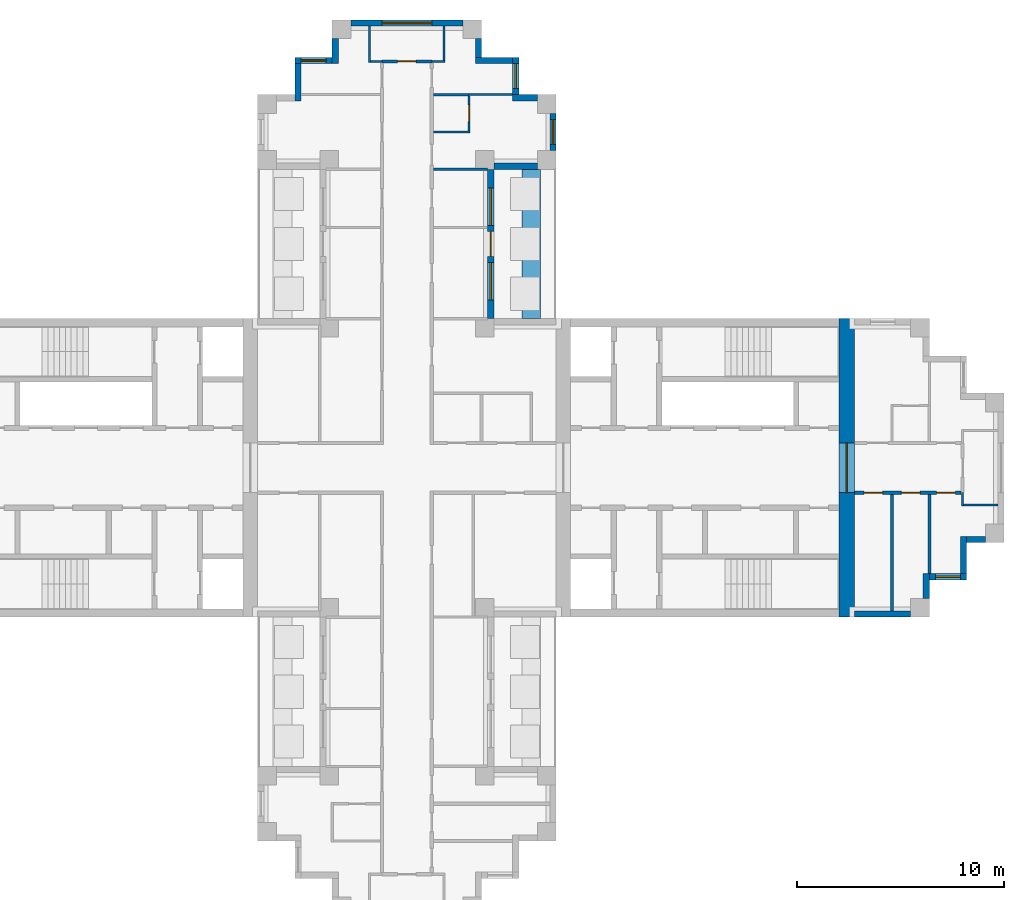
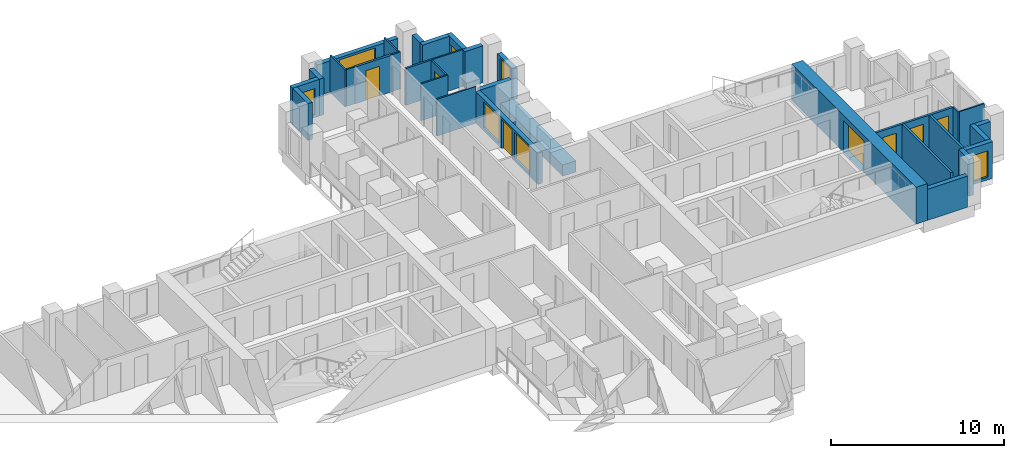
# One storey, part 7 of 10: 33 walls, 7 doors, 7 windows, 14 openings.
"""IFC4 building model written with IfcOpenShell, lengths in metres."""

from ifc_helpers import new_model, si_unit, direction, frame, frame_2d, origin, place, context, subcontext, project, spatial, rectangle, extrude, material, layer, layer_set, type_object, element, fill, save


model = new_model("IFC4")

# Units and contexts
model_context = context("Model", 3, precision=1e-05, world=origin(), true_north=direction((0.0, 1.0)))
body_context = subcontext(model_context, "Body", "Model", "MODEL_VIEW")
ifc_project = project(units=[si_unit("LENGTHUNIT", "METRE"), si_unit("AREAUNIT", "SQUARE_METRE"), si_unit("VOLUMEUNIT", "CUBIC_METRE"), si_unit("PLANEANGLEUNIT", "RADIAN"), si_unit("MASSUNIT", "GRAM", prefix="KILO")], contexts=[model_context])

# Site, building, storey
site_placement = place(None, origin())
site = spatial("IfcSite", under=ifc_project, at=site_placement, CompositionType="ELEMENT")
building_placement = place(site_placement, origin())
building = spatial("IfcBuilding", under=site, at=building_placement, Name="Fustian Cross Tower", CompositionType="ELEMENT")
storey_placement = place(building_placement, frame((0.0, 0.0, 185.699951171875)))
storey = spatial("IfcBuildingStorey", under=building, at=storey_placement, Name="L58", CompositionType="ELEMENT", Elevation=185.699951171875)

# Wall, opening, door
ifc_material_1 = material(Name="Plasterboard on steel stud", Category="steel")
ifc_layer_1 = layer(ifc_material_1, 0.14990234375)
ifc_layer_set_1 = layer_set([ifc_layer_1], Name="Plasterboard on steel stud")
wall_type_1 = type_object("IfcWallType", Name="COMPARTMENT WALL 150 EI 60", PredefinedType="PARTITIONING", material=ifc_layer_set_1)
wall_1_placement = place(storey_placement, frame((-1.199951171875, 19.60009765625, 0.0), z_axis=(0.0, 0.0, 1.0), x_axis=(1.0, 0.0, 0.0)))
wall_1 = element("IfcWall", 1, at=wall_1_placement, inside=storey, type_object=wall_type_1, Name="Partition 34", PredefinedType="PARTITIONING", context=body_context, shape_type="SweptSolid", body=[
    extrude(rectangle(XDim=2.39990234375, YDim=0.14990234375, at=frame_2d((1.199951171875, 0.0))), origin(), (0.0, 0.0, 1.0), 2.60009765625),
])
opening_1_placement = place(wall_1_placement, frame((0.75, 0.0, 0.0)))
opening_1 = element("IfcOpeningElement", 2, at=opening_1_placement, cuts=wall_1, Name="Opening D26017", PredefinedType="OPENING", context=body_context, shape_type="SweptSolid", body=[
    extrude(rectangle(XDim=0.89990234375, YDim=2.10009765625, at=frame_2d((0.449951171875, 1.050048828125))), frame((0.0, 0.0849609375, 0.0), z_axis=(0.0, -1.0, 0.0), x_axis=(1.0, 0.0, 0.0)), (0.0, 0.0, 1.0), 0.169921875),
])
ifc_material_2 = material(Name="Timber fire door set", Category="wood")
door_type_1 = type_object("IfcDoorType", Name="FIRE SWING DOOR 900 FD30S", OperationType="SINGLE_SWING_LEFT", PredefinedType="DOOR", material=ifc_material_2)
door_1_placement = place(opening_1_placement, origin())
door_1 = element("IfcDoor", 3, at=door_1_placement, inside=storey, type_object=door_type_1, Name="Door D26017", OperationType="SINGLE_SWING_LEFT", OverallHeight=2.10009765625, OverallWidth=0.89990234375, PredefinedType="DOOR", context=body_context, shape_type="SweptSolid", body=[
    extrude(rectangle(XDim=0.89990234375, YDim=2.10009765625, at=frame_2d((0.449951171875, 1.050048828125))), frame((0.0, 0.02490234375, 0.0), z_axis=(0.0, -1.0, 0.0), x_axis=(1.0, 0.0, 0.0)), (0.0, 0.0, 1.0), 0.050048828125),
])
fill(opening_1, door_1)

# Wall, openings, doors
wall_2_placement = place(storey_placement, frame((21.60009765625, -1.199951171875, 0.0), z_axis=(0.0, 0.0, 1.0), x_axis=(1.0, 0.0, 0.0)))
wall_2 = element("IfcWall", 4, at=wall_2_placement, inside=storey, type_object=wall_type_1, Name="Partition 58", PredefinedType="PARTITIONING", context=body_context, shape_type="SweptSolid", body=[
    extrude(rectangle(XDim=5.125, YDim=0.14990234375, at=frame_2d((2.5625, 0.0))), origin(), (0.0, 0.0, 1.0), 2.60009765625),
])
opening_2_placement = place(wall_2_placement, frame((0.449951171875, 0.0, 0.0)))
opening_2 = element("IfcOpeningElement", 5, at=opening_2_placement, cuts=wall_2, Name="Opening D26014", PredefinedType="OPENING", context=body_context, shape_type="SweptSolid", body=[
    extrude(rectangle(XDim=0.89990234375, YDim=2.10009765625, at=frame_2d((0.449951171875, 1.050048828125))), frame((0.0, 0.0849609375, 0.0), z_axis=(0.0, -1.0, 0.0), x_axis=(1.0, 0.0, 0.0)), (0.0, 0.0, 1.0), 0.169921875),
])
opening_3_placement = place(wall_2_placement, frame((2.25, 0.0, 0.0)))
opening_3 = element("IfcOpeningElement", 6, at=opening_3_placement, cuts=wall_2, Name="Opening D26015", PredefinedType="OPENING", context=body_context, shape_type="SweptSolid", body=[
    extrude(rectangle(XDim=0.89990234375, YDim=2.10009765625, at=frame_2d((0.449951171875, 1.050048828125))), frame((0.0, 0.0849609375, 0.0), z_axis=(0.0, -1.0, 0.0), x_axis=(1.0, 0.0, 0.0)), (0.0, 0.0, 1.0), 0.169921875),
])
opening_4_placement = place(wall_2_placement, frame((3.949951171875, 0.0, 0.0)))
opening_4 = element("IfcOpeningElement", 7, at=opening_4_placement, cuts=wall_2, Name="Opening D26016", PredefinedType="OPENING", context=body_context, shape_type="SweptSolid", body=[
    extrude(rectangle(XDim=0.89990234375, YDim=2.10009765625, at=frame_2d((0.449951171875, 1.050048828125))), frame((0.0, 0.0849609375, 0.0), z_axis=(0.0, -1.0, 0.0), x_axis=(1.0, 0.0, 0.0)), (0.0, 0.0, 1.0), 0.169921875),
])
door_2_placement = place(opening_2_placement, frame((0.89990234375, 0.0, 0.0), z_axis=(0.0, 0.0, 1.0), x_axis=(-1.0, 0.0, 0.0)))
door_2 = element("IfcDoor", 8, at=door_2_placement, inside=storey, type_object=door_type_1, Name="Door D26014", OperationType="SINGLE_SWING_LEFT", OverallHeight=2.10009765625, OverallWidth=0.89990234375, PredefinedType="DOOR", context=body_context, shape_type="SweptSolid", body=[
    extrude(rectangle(XDim=0.89990234375, YDim=2.10009765625, at=frame_2d((0.449951171875, 1.050048828125))), frame((0.0, 0.02490234375, 0.0), z_axis=(0.0, -1.0, 0.0), x_axis=(1.0, 0.0, 0.0)), (0.0, 0.0, 1.0), 0.050048828125),
])
fill(opening_2, door_2)
door_3_placement = place(opening_3_placement, frame((0.89990234375, 0.0, 0.0), z_axis=(0.0, 0.0, 1.0), x_axis=(-1.0, 0.0, 0.0)))
door_3 = element("IfcDoor", 9, at=door_3_placement, inside=storey, type_object=door_type_1, Name="Door D26015", OperationType="SINGLE_SWING_LEFT", OverallHeight=2.10009765625, OverallWidth=0.89990234375, PredefinedType="DOOR", context=body_context, shape_type="SweptSolid", body=[
    extrude(rectangle(XDim=0.89990234375, YDim=2.10009765625, at=frame_2d((0.449951171875, 1.050048828125))), frame((0.0, 0.02490234375, 0.0), z_axis=(0.0, -1.0, 0.0), x_axis=(1.0, 0.0, 0.0)), (0.0, 0.0, 1.0), 0.050048828125),
])
fill(opening_3, door_3)
door_4_placement = place(opening_4_placement, frame((0.89990234375, 0.0, 0.0), z_axis=(0.0, 0.0, 1.0), x_axis=(-1.0, 0.0, 0.0)))
door_4 = element("IfcDoor", 10, at=door_4_placement, inside=storey, type_object=door_type_1, Name="Door D26016", OperationType="SINGLE_SWING_RIGHT", OverallHeight=2.10009765625, OverallWidth=0.89990234375, PredefinedType="DOOR", context=body_context, shape_type="SweptSolid", body=[
    extrude(rectangle(XDim=0.89990234375, YDim=2.10009765625, at=frame_2d((0.449951171875, 1.050048828125))), frame((0.0, 0.02490234375, 0.0), z_axis=(0.0, -1.0, 0.0), x_axis=(1.0, 0.0, 0.0)), (0.0, 0.0, 1.0), 0.050048828125),
])
fill(opening_4, door_4)

# Walls
wall_3_placement = place(storey_placement, frame((23.39990234375, -6.89990234375, 0.0), z_axis=(0.0, 0.0, 1.0), x_axis=(0.0, 1.0, 0.0)))
element("IfcWall", 11, at=wall_3_placement, inside=storey, type_object=wall_type_1, Name="Partition 60", PredefinedType="PARTITIONING", context=body_context, shape_type="SweptSolid", body=[
    extrude(rectangle(XDim=5.625, YDim=0.14990234375, at=frame_2d((2.8125, 0.0))), origin(), (0.0, 0.0, 1.0), 2.60009765625),
])
wall_4_placement = place(storey_placement, frame((25.199951171875, -5.10009765625, 0.0), z_axis=(0.0, 0.0, 1.0), x_axis=(0.0, 1.0, 0.0)))
element("IfcWall", 12, at=wall_4_placement, inside=storey, type_object=wall_type_1, Name="Partition 63", PredefinedType="PARTITIONING", context=body_context, shape_type="SweptSolid", body=[
    extrude(rectangle(XDim=3.8251953125, YDim=0.14990234375, at=frame_2d((1.91259765625, 0.0))), origin(), (0.0, 0.0, 1.0), 2.60009765625),
])

# Wall, opening, door
ifc_material_3 = material(Name="Concrete C50/60", Category="concrete")
ifc_layer_2 = layer(ifc_material_3, 0.75)
ifc_layer_set_2 = layer_set([ifc_layer_2], Name="Concrete C50/60")
wall_type_2 = type_object("IfcWallType", Name="CORE END WALL 750 C50/60", PredefinedType="SHEAR", material=ifc_layer_set_2)
wall_5_placement = place(storey_placement, frame((21.22509765625, -7.199951171875, 0.0), z_axis=(0.0, 0.0, 1.0), x_axis=(0.0, 1.0, 0.0)))
wall_5 = element("IfcWall", 13, at=wall_5_placement, inside=storey, type_object=wall_type_2, Name="Core end wall", PredefinedType="SHEAR", context=body_context, shape_type="SweptSolid", body=[
    extrude(rectangle(XDim=14.39990234375, YDim=0.75, at=frame_2d((7.199951171875, 0.0))), origin(), (0.0, 0.0, 1.0), 2.60009765625),
])
opening_5_placement = place(wall_5_placement, frame((6.0, 0.0, 0.0)))
opening_5 = element("IfcOpeningElement", 14, at=opening_5_placement, cuts=wall_5, Name="Opening CD-23-13", PredefinedType="OPENING", context=body_context, shape_type="SweptSolid", body=[
    extrude(rectangle(XDim=2.39990234375, YDim=2.199951171875, at=frame_2d((1.199951171875, 1.10009765625))), frame((0.0, 0.385009765625, 0.0), z_axis=(0.0, -1.0, 0.0), x_axis=(1.0, 0.0, 0.0)), (0.0, 0.0, 1.0), 0.77001953125),
])
ifc_material_4 = material(Name="Steel", Category="steel")
door_type_2 = type_object("IfcDoorType", Name="FIRE DOOR FD30S DOUBLE 2400X2200", OperationType="DOUBLE_DOOR_DOUBLE_SWING", PredefinedType="DOOR", material=ifc_material_4)
door_5_placement = place(opening_5_placement, origin())
door_5 = element("IfcDoor", 15, at=door_5_placement, inside=storey, type_object=door_type_2, Name="Core door CD-23-13", OperationType="DOUBLE_DOOR_DOUBLE_SWING", OverallHeight=2.199951171875, OverallWidth=2.39990234375, PredefinedType="DOOR", context=body_context, shape_type="SweptSolid", body=[
    extrude(rectangle(XDim=2.39990234375, YDim=2.199951171875, at=frame_2d((1.199951171875, 1.10009765625))), frame((0.0, 0.02490234375, 0.0), z_axis=(0.0, -1.0, 0.0), x_axis=(1.0, 0.0, 0.0)), (0.0, 0.0, 1.0), 0.050048828125),
])
fill(opening_5, door_5)

# Walls
ifc_material_5 = material(Name="Plasterboard on steel stud", Category="steel")
ifc_layer_3 = layer(ifc_material_5, 0.10009765625)
ifc_layer_set_3 = layer_set([ifc_layer_3], Name="Plasterboard on steel stud")
wall_type_3 = type_object("IfcWallType", Name="PARTITION 100 STUD", PredefinedType="PARTITIONING", material=ifc_layer_set_3)
wall_6_placement = place(storey_placement, frame((-1.800048828125, 19.550048828125, 0.0), z_axis=(0.0, 0.0, 1.0), x_axis=(0.0, 1.0, 0.0)))
element("IfcWall", 16, at=wall_6_placement, inside=storey, type_object=wall_type_3, Name="Partition 29", PredefinedType="PARTITIONING", context=body_context, shape_type="SweptSolid", body=[
    extrude(rectangle(XDim=1.75, YDim=0.10009765625, at=frame_2d((0.875, 0.0))), origin(), (0.0, 0.0, 1.0), 2.60009765625),
])
wall_7_placement = place(storey_placement, frame((-1.75, 19.60009765625, 0.0), z_axis=(0.0, 0.0, 1.0), x_axis=(1.0, 0.0, 0.0)))
element("IfcWall", 17, at=wall_7_placement, inside=storey, type_object=wall_type_3, Name="Partition 30", PredefinedType="PARTITIONING", context=body_context, shape_type="SweptSolid", body=[
    extrude(rectangle(XDim=0.550048828125, YDim=0.10009765625, at=frame_2d((0.27490234375, 0.0))), origin(), (0.0, 0.0, 1.0), 2.60009765625),
])
wall_8_placement = place(storey_placement, frame((1.27490234375, 14.39990234375, 0.0), z_axis=(0.0, 0.0, 1.0), x_axis=(1.0, 0.0, 0.0)))
element("IfcWall", 18, at=wall_8_placement, inside=storey, type_object=wall_type_3, Name="Partition 47", PredefinedType="PARTITIONING", context=body_context, shape_type="SweptSolid", body=[
    extrude(rectangle(XDim=2.625, YDim=0.10009765625, at=frame_2d((1.3125, 0.0))), origin(), (0.0, 0.0, 1.0), 2.60009765625),
])
wall_9_placement = place(storey_placement, frame((1.27490234375, 16.199951171875, 0.0), z_axis=(0.0, 0.0, 1.0), x_axis=(1.0, 0.0, 0.0)))
element("IfcWall", 19, at=wall_9_placement, inside=storey, type_object=wall_type_3, Name="Partition 48", PredefinedType="PARTITIONING", context=body_context, shape_type="SweptSolid", body=[
    extrude(rectangle(XDim=1.775146484375, YDim=0.10009765625, at=frame_2d((0.8876953125, 0.0))), origin(), (0.0, 0.0, 1.0), 2.60009765625),
])
wall_10_placement = place(storey_placement, frame((1.199951171875, 19.60009765625, 0.0), z_axis=(0.0, 0.0, 1.0), x_axis=(1.0, 0.0, 0.0)))
element("IfcWall", 20, at=wall_10_placement, inside=storey, type_object=wall_type_3, Name="Partition 50", PredefinedType="PARTITIONING", context=body_context, shape_type="SweptSolid", body=[
    extrude(rectangle(XDim=0.650146484375, YDim=0.10009765625, at=frame_2d((0.3251953125, 0.0))), origin(), (0.0, 0.0, 1.0), 2.60009765625),
])
wall_11_placement = place(storey_placement, frame((1.800048828125, 19.64990234375, 0.0), z_axis=(0.0, 0.0, 1.0), x_axis=(0.0, 1.0, 0.0)))
element("IfcWall", 21, at=wall_11_placement, inside=storey, type_object=wall_type_3, Name="Partition 52", PredefinedType="PARTITIONING", context=body_context, shape_type="SweptSolid", body=[
    extrude(rectangle(XDim=1.650146484375, YDim=0.10009765625, at=frame_2d((0.8251953125, 0.0))), origin(), (0.0, 0.0, 1.0), 2.60009765625),
])

# Wall, opening, door
wall_12_placement = place(storey_placement, frame((3.0, 16.25, 0.0), z_axis=(0.0, 0.0, 1.0), x_axis=(0.0, 1.0, 0.0)))
wall_12 = element("IfcWall", 22, at=wall_12_placement, inside=storey, type_object=wall_type_3, Name="Partition 53", PredefinedType="PARTITIONING", context=body_context, shape_type="SweptSolid", body=[
    extrude(rectangle(XDim=1.6875, YDim=0.10009765625, at=frame_2d((0.84375, 0.0))), origin(), (0.0, 0.0, 1.0), 2.60009765625),
])
opening_6_placement = place(wall_12_placement, frame((0.449951171875, 0.0, 0.0)))
opening_6 = element("IfcOpeningElement", 23, at=opening_6_placement, cuts=wall_12, Name="Opening D26024", PredefinedType="OPENING", context=body_context, shape_type="SweptSolid", body=[
    extrude(rectangle(XDim=0.800048828125, YDim=2.10009765625, at=frame_2d((0.39990234375, 1.050048828125))), frame((0.0, 0.06005859375, 0.0), z_axis=(0.0, -1.0, 0.0), x_axis=(1.0, 0.0, 0.0)), (0.0, 0.0, 1.0), 0.1201171875),
])
ifc_material_6 = material(Name="Painted timber", Category="wood")
door_type_3 = type_object("IfcDoorType", Name="SWING DOOR 800", OperationType="SINGLE_SWING_LEFT", PredefinedType="DOOR", material=ifc_material_6)
door_6_placement = place(opening_6_placement, origin())
door_6 = element("IfcDoor", 24, at=door_6_placement, inside=storey, type_object=door_type_3, Name="Door D26024", OperationType="SINGLE_SWING_RIGHT", OverallHeight=2.10009765625, OverallWidth=0.800048828125, PredefinedType="DOOR", context=body_context, shape_type="SweptSolid", body=[
    extrude(rectangle(XDim=0.800048828125, YDim=2.10009765625, at=frame_2d((0.39990234375, 1.050048828125))), frame((0.0, 0.02490234375, 0.0), z_axis=(0.0, -1.0, 0.0), x_axis=(1.0, 0.0, 0.0)), (0.0, 0.0, 1.0), 0.050048828125),
])
fill(opening_6, door_6)

# Walls
wall_13_placement = place(storey_placement, frame((3.0, 18.0, 0.0), z_axis=(0.0, 0.0, 1.0), x_axis=(1.0, 0.0, 0.0)))
element("IfcWall", 25, at=wall_13_placement, inside=storey, type_object=wall_type_3, Name="Partition 54", PredefinedType="PARTITIONING", context=body_context, shape_type="SweptSolid", body=[
    extrude(rectangle(XDim=2.10009765625, YDim=0.10009765625, at=frame_2d((1.050048828125, 0.0))), origin(), (0.0, 0.0, 1.0), 2.60009765625),
])
wall_14_placement = place(storey_placement, frame((26.800048828125, -1.85009765625, 0.0), z_axis=(0.0, 0.0, 1.0), x_axis=(0.0, 1.0, 0.0)))
element("IfcWall", 26, at=wall_14_placement, inside=storey, type_object=wall_type_3, Name="Partition 66", PredefinedType="PARTITIONING", context=body_context, shape_type="SweptSolid", body=[
    extrude(rectangle(XDim=0.650146484375, YDim=0.10009765625, at=frame_2d((0.3251953125, 0.0))), origin(), (0.0, 0.0, 1.0), 2.60009765625),
])
wall_15_placement = place(storey_placement, frame((26.85009765625, -1.800048828125, 0.0), z_axis=(0.0, 0.0, 1.0), x_axis=(1.0, 0.0, 0.0)))
element("IfcWall", 27, at=wall_15_placement, inside=storey, type_object=wall_type_3, Name="Partition 67", PredefinedType="PARTITIONING", context=body_context, shape_type="SweptSolid", body=[
    extrude(rectangle(XDim=1.64990234375, YDim=0.10009765625, at=frame_2d((0.824951171875, 0.0))), origin(), (0.0, 0.0, 1.0), 2.60009765625),
])
ifc_material_7 = material(Name="Concrete C40/50", Category="concrete")
ifc_layer_4 = layer(ifc_material_7, 0.89990234375)
ifc_layer_set_4 = layer_set([ifc_layer_4], Name="Concrete C40/50")
wall_type_4 = type_object("IfcWallType", Name="PK1 PLANTER 900", PredefinedType="PARAPET", material=ifc_layer_set_4)
wall_16_placement = place(storey_placement, frame((6.0, 7.199951171875, 0.0), z_axis=(0.0, 0.0, 1.0), x_axis=(0.0, 1.0, 0.0)))
element("IfcWall", 28, at=wall_16_placement, inside=storey, type_object=wall_type_4, Name="PLANTER", PredefinedType="PARAPET", context=body_context, shape_type="SweptSolid", body=[
    extrude(rectangle(XDim=7.199951171875, YDim=0.89990234375, at=frame_2d((3.60009765625, 0.0))), origin(), (0.0, 0.0, 1.0), 0.800048828125),
])
ifc_material_8 = material(Name="Plasterboard on steel stud", Category="steel")
ifc_layer_5 = layer(ifc_material_8, 0.125)
ifc_layer_set_5 = layer_set([ifc_layer_5], Name="Plasterboard on steel stud")
wall_type_5 = type_object("IfcWallType", Name="WET WALL 125 STUD", PredefinedType="PARTITIONING", material=ifc_layer_set_5)
wall_17_placement = place(storey_placement, frame((1.27490234375, 18.0, 0.0), z_axis=(0.0, 0.0, 1.0), x_axis=(1.0, 0.0, 0.0)))
element("IfcWall", 29, at=wall_17_placement, inside=storey, type_object=wall_type_5, Name="Partition 49", PredefinedType="PARTITIONING", context=body_context, shape_type="SweptSolid", body=[
    extrude(rectangle(XDim=1.72509765625, YDim=0.125, at=frame_2d((0.862548828125, 0.0))), origin(), (0.0, 0.0, 1.0), 2.60009765625),
])
ifc_material_9 = material(Name="Dark aluminium cladding on insulated backing wall", Category="aluminium")
ifc_layer_6 = layer(ifc_material_9, 0.300048828125)
ifc_layer_set_6 = layer_set([ifc_layer_6], Name="Dark aluminium cladding on insulated backing wall")
wall_type_6 = type_object("IfcWallType", Name="XW1 EXTERNAL WALL 300", PredefinedType="SOLIDWALL", material=ifc_layer_set_6)
wall_18_placement = place(storey_placement, frame((21.60009765625, -7.050048828125, 0.0), z_axis=(0.0, 0.0, 1.0), x_axis=(1.0, 0.0, 0.0)))
element("IfcWall", 30, at=wall_18_placement, inside=storey, type_object=wall_type_6, Name="External wall", PredefinedType="SOLIDWALL", context=body_context, shape_type="SweptSolid", body=[
    extrude(rectangle(XDim=2.699951171875, YDim=0.300048828125, at=frame_2d((1.35009765625, 0.0))), origin(), (0.0, 0.0, 1.0), 2.199951171875),
])
wall_19_placement = place(storey_placement, frame((25.050048828125, -6.300048828125, 0.0), z_axis=(0.0, 0.0, 1.0), x_axis=(0.0, 1.0, 0.0)))
element("IfcWall", 31, at=wall_19_placement, inside=storey, type_object=wall_type_6, Name="External wall", PredefinedType="SOLIDWALL", context=body_context, shape_type="SweptSolid", body=[
    extrude(rectangle(XDim=1.199951171875, YDim=0.300048828125, at=frame_2d((0.60009765625, 0.0))), origin(), (0.0, 0.0, 1.0), 2.60009765625),
])

# Wall, opening, window
wall_20_placement = place(storey_placement, frame((25.199951171875, -5.25, 0.0), z_axis=(0.0, 0.0, 1.0), x_axis=(1.0, 0.0, 0.0)))
wall_20 = element("IfcWall", 32, at=wall_20_placement, inside=storey, type_object=wall_type_6, Name="External wall", PredefinedType="SOLIDWALL", context=body_context, shape_type="SweptSolid", body=[
    extrude(rectangle(XDim=1.800048828125, YDim=0.300048828125, at=frame_2d((0.89990234375, 0.0))), origin(), (0.0, 0.0, 1.0), 2.60009765625),
])
opening_7_placement = place(wall_20_placement, frame((0.300048828125, 0.0, 0.199951171875)))
opening_7 = element("IfcOpeningElement", 33, at=opening_7_placement, cuts=wall_20, Name="Opening WN3", PredefinedType="OPENING", context=body_context, shape_type="SweptSolid", body=[
    extrude(rectangle(XDim=1.199951171875, YDim=1.85009765625, at=frame_2d((0.60009765625, 0.925048828125))), frame((0.0, 0.159912109375, 0.0), z_axis=(0.0, -1.0, 0.0), x_axis=(1.0, 0.0, 0.0)), (0.0, 0.0, 1.0), 0.320068359375),
])
ifc_material_10 = material(Name="Dark anodised aluminium and double glazing", Category="aluminium")
window_type_1 = type_object("IfcWindowType", Name="WN3 WINDOW 1200X1850", PartitioningType="SINGLE_PANEL", PredefinedType="WINDOW", material=ifc_material_10)
window_1_placement = place(opening_7_placement, origin())
window_1 = element("IfcWindow", 34, at=window_1_placement, inside=storey, type_object=window_type_1, Name="Window", OverallHeight=1.85009765625, OverallWidth=1.199951171875, PartitioningType="SINGLE_PANEL", PredefinedType="WINDOW", context=body_context, shape_type="SweptSolid", body=[
    extrude(rectangle(XDim=1.199951171875, YDim=1.85009765625, at=frame_2d((0.60009765625, 0.925048828125))), frame((0.0, 0.030029296875, 0.0), z_axis=(0.0, -1.0, 0.0), x_axis=(1.0, 0.0, 0.0)), (0.0, 0.0, 1.0), 0.06005859375),
])
fill(opening_7, window_1)

# Walls
wall_21_placement = place(storey_placement, frame((26.85009765625, -5.10009765625, 0.0), z_axis=(0.0, 0.0, 1.0), x_axis=(0.0, 1.0, 0.0)))
element("IfcWall", 35, at=wall_21_placement, inside=storey, type_object=wall_type_6, Name="External wall", PredefinedType="SOLIDWALL", context=body_context, shape_type="SweptSolid", body=[
    extrude(rectangle(XDim=1.800048828125, YDim=0.300048828125, at=frame_2d((0.89990234375, 0.0))), origin(), (0.0, 0.0, 1.0), 2.60009765625),
])
wall_22_placement = place(storey_placement, frame((27.0, -3.449951171875, 0.0), z_axis=(0.0, 0.0, 1.0), x_axis=(1.0, 0.0, 0.0)))
element("IfcWall", 36, at=wall_22_placement, inside=storey, type_object=wall_type_6, Name="External wall", PredefinedType="SOLIDWALL", context=body_context, shape_type="SweptSolid", body=[
    extrude(rectangle(XDim=0.89990234375, YDim=0.300048828125, at=frame_2d((0.449951171875, 0.0))), origin(), (0.0, 0.0, 1.0), 2.60009765625),
])

# Wall, openings, door, windows
wall_23_placement = place(storey_placement, frame((4.050048828125, 7.199951171875, 0.0), z_axis=(0.0, 0.0, 1.0), x_axis=(0.0, 1.0, 0.0)))
wall_23 = element("IfcWall", 37, at=wall_23_placement, inside=storey, type_object=wall_type_6, Name="External wall", PredefinedType="SOLIDWALL", context=body_context, shape_type="SweptSolid", body=[
    extrude(rectangle(XDim=7.199951171875, YDim=0.300048828125, at=frame_2d((3.60009765625, 0.0))), origin(), (0.0, 0.0, 1.0), 2.199951171875),
])
opening_8_placement = place(wall_23_placement, frame((3.0, 0.0, 0.0)))
opening_8 = element("IfcOpeningElement", 38, at=opening_8_placement, cuts=wall_23, Name="Opening XD1", PredefinedType="OPENING", context=body_context, shape_type="SweptSolid", body=[
    extrude(rectangle(XDim=1.199951171875, YDim=2.050048828125, at=frame_2d((0.60009765625, 1.02490234375))), frame((0.0, 0.159912109375, 0.0), z_axis=(0.0, -1.0, 0.0), x_axis=(1.0, 0.0, 0.0)), (0.0, 0.0, 1.0), 0.320068359375),
])
opening_9_placement = place(wall_23_placement, frame((0.89990234375, 0.0, 0.199951171875)))
opening_9 = element("IfcOpeningElement", 39, at=opening_9_placement, cuts=wall_23, Name="Opening WN2", PredefinedType="OPENING", context=body_context, shape_type="SweptSolid", body=[
    extrude(rectangle(XDim=1.800048828125, YDim=1.85009765625, at=frame_2d((0.89990234375, 0.925048828125))), frame((0.0, 0.159912109375, 0.0), z_axis=(0.0, -1.0, 0.0), x_axis=(1.0, 0.0, 0.0)), (0.0, 0.0, 1.0), 0.320068359375),
])
opening_10_placement = place(wall_23_placement, frame((4.5, 0.0, 0.199951171875)))
opening_10 = element("IfcOpeningElement", 40, at=opening_10_placement, cuts=wall_23, Name="Opening WN2", PredefinedType="OPENING", context=body_context, shape_type="SweptSolid", body=[
    extrude(rectangle(XDim=1.800048828125, YDim=1.85009765625, at=frame_2d((0.89990234375, 0.925048828125))), frame((0.0, 0.159912109375, 0.0), z_axis=(0.0, -1.0, 0.0), x_axis=(1.0, 0.0, 0.0)), (0.0, 0.0, 1.0), 0.320068359375),
])
ifc_material_11 = material(Name="Dark anodised aluminium and double glazing", Category="aluminium")
door_type_4 = type_object("IfcDoorType", Name="ED1 BALCONY DOOR 1200X2050", OperationType="SINGLE_SWING_LEFT", PredefinedType="DOOR", material=ifc_material_11)
door_7_placement = place(opening_8_placement, origin())
door_7 = element("IfcDoor", 41, at=door_7_placement, inside=storey, type_object=door_type_4, Name="Balcony door", OperationType="SINGLE_SWING_LEFT", OverallHeight=2.050048828125, OverallWidth=1.199951171875, PredefinedType="DOOR", context=body_context, shape_type="SweptSolid", body=[
    extrude(rectangle(XDim=1.199951171875, YDim=2.050048828125, at=frame_2d((0.60009765625, 1.02490234375))), frame((0.0, 0.02490234375, 0.0), z_axis=(0.0, -1.0, 0.0), x_axis=(1.0, 0.0, 0.0)), (0.0, 0.0, 1.0), 0.050048828125),
])
fill(opening_8, door_7)
ifc_material_12 = material(Name="Dark anodised aluminium and double glazing", Category="aluminium")
window_type_2 = type_object("IfcWindowType", Name="WN2 WINDOW 1800X1850", PartitioningType="SINGLE_PANEL", PredefinedType="WINDOW", material=ifc_material_12)
window_2_placement = place(opening_9_placement, origin())
window_2 = element("IfcWindow", 42, at=window_2_placement, inside=storey, type_object=window_type_2, Name="Window", OverallHeight=1.85009765625, OverallWidth=1.800048828125, PartitioningType="SINGLE_PANEL", PredefinedType="WINDOW", context=body_context, shape_type="SweptSolid", body=[
    extrude(rectangle(XDim=1.800048828125, YDim=1.85009765625, at=frame_2d((0.89990234375, 0.925048828125))), frame((0.0, 0.030029296875, 0.0), z_axis=(0.0, -1.0, 0.0), x_axis=(1.0, 0.0, 0.0)), (0.0, 0.0, 1.0), 0.06005859375),
])
fill(opening_9, window_2)
window_3_placement = place(opening_10_placement, origin())
window_3 = element("IfcWindow", 43, at=window_3_placement, inside=storey, type_object=window_type_2, Name="Window", OverallHeight=1.85009765625, OverallWidth=1.800048828125, PartitioningType="SINGLE_PANEL", PredefinedType="WINDOW", context=body_context, shape_type="SweptSolid", body=[
    extrude(rectangle(XDim=1.800048828125, YDim=1.85009765625, at=frame_2d((0.89990234375, 0.925048828125))), frame((0.0, 0.030029296875, 0.0), z_axis=(0.0, -1.0, 0.0), x_axis=(1.0, 0.0, 0.0)), (0.0, 0.0, 1.0), 0.06005859375),
])
fill(opening_10, window_3)

# Wall
wall_24_placement = place(storey_placement, frame((4.199951171875, 14.550048828125, 0.0), z_axis=(0.0, 0.0, 1.0), x_axis=(1.0, 0.0, 0.0)))
element("IfcWall", 44, at=wall_24_placement, inside=storey, type_object=wall_type_6, Name="External wall", PredefinedType="SOLIDWALL", context=body_context, shape_type="SweptSolid", body=[
    extrude(rectangle(XDim=2.10009765625, YDim=0.300048828125, at=frame_2d((1.050048828125, 0.0))), origin(), (0.0, 0.0, 1.0), 2.199951171875),
])

# Wall, opening, window
wall_25_placement = place(storey_placement, frame((7.050048828125, 15.300048828125, 0.0), z_axis=(0.0, 0.0, 1.0), x_axis=(0.0, 1.0, 0.0)))
wall_25 = element("IfcWall", 45, at=wall_25_placement, inside=storey, type_object=wall_type_6, Name="External wall", PredefinedType="SOLIDWALL", context=body_context, shape_type="SweptSolid", body=[
    extrude(rectangle(XDim=1.800048828125, YDim=0.300048828125, at=frame_2d((0.89990234375, 0.0))), origin(), (0.0, 0.0, 1.0), 2.199951171875),
])
opening_11_placement = place(wall_25_placement, frame((0.300048828125, 0.0, 0.199951171875)))
opening_11 = element("IfcOpeningElement", 46, at=opening_11_placement, cuts=wall_25, Name="Opening WN3", PredefinedType="OPENING", context=body_context, shape_type="SweptSolid", body=[
    extrude(rectangle(XDim=1.199951171875, YDim=1.85009765625, at=frame_2d((0.60009765625, 0.925048828125))), frame((0.0, 0.159912109375, 0.0), z_axis=(0.0, -1.0, 0.0), x_axis=(1.0, 0.0, 0.0)), (0.0, 0.0, 1.0), 0.320068359375),
])
window_4_placement = place(opening_11_placement, origin())
window_4 = element("IfcWindow", 47, at=window_4_placement, inside=storey, type_object=window_type_1, Name="Window", OverallHeight=1.85009765625, OverallWidth=1.199951171875, PartitioningType="SINGLE_PANEL", PredefinedType="WINDOW", context=body_context, shape_type="SweptSolid", body=[
    extrude(rectangle(XDim=1.199951171875, YDim=1.85009765625, at=frame_2d((0.60009765625, 0.925048828125))), frame((0.0, 0.030029296875, 0.0), z_axis=(0.0, -1.0, 0.0), x_axis=(1.0, 0.0, 0.0)), (0.0, 0.0, 1.0), 0.06005859375),
])
fill(opening_11, window_4)

# Wall
wall_26_placement = place(storey_placement, frame((6.300048828125, 17.85009765625, 0.0), z_axis=(0.0, 0.0, 1.0), x_axis=(-1.0, 0.0, 0.0)))
element("IfcWall", 48, at=wall_26_placement, inside=storey, type_object=wall_type_6, Name="External wall", PredefinedType="SOLIDWALL", context=body_context, shape_type="SweptSolid", body=[
    extrude(rectangle(XDim=1.199951171875, YDim=0.300048828125, at=frame_2d((0.60009765625, 0.0))), origin(), (0.0, 0.0, 1.0), 2.60009765625),
])

# Wall, opening, window
wall_27_placement = place(storey_placement, frame((5.25, 18.0, 0.0), z_axis=(0.0, 0.0, 1.0), x_axis=(0.0, 1.0, 0.0)))
wall_27 = element("IfcWall", 49, at=wall_27_placement, inside=storey, type_object=wall_type_6, Name="External wall", PredefinedType="SOLIDWALL", context=body_context, shape_type="SweptSolid", body=[
    extrude(rectangle(XDim=1.800048828125, YDim=0.300048828125, at=frame_2d((0.89990234375, 0.0))), origin(), (0.0, 0.0, 1.0), 2.60009765625),
])
opening_12_placement = place(wall_27_placement, frame((0.300048828125, 0.0, 0.199951171875)))
opening_12 = element("IfcOpeningElement", 50, at=opening_12_placement, cuts=wall_27, Name="Opening WN3", PredefinedType="OPENING", context=body_context, shape_type="SweptSolid", body=[
    extrude(rectangle(XDim=1.199951171875, YDim=1.85009765625, at=frame_2d((0.60009765625, 0.925048828125))), frame((0.0, 0.159912109375, 0.0), z_axis=(0.0, -1.0, 0.0), x_axis=(1.0, 0.0, 0.0)), (0.0, 0.0, 1.0), 0.320068359375),
])
window_5_placement = place(opening_12_placement, origin())
window_5 = element("IfcWindow", 51, at=window_5_placement, inside=storey, type_object=window_type_1, Name="Window", OverallHeight=1.85009765625, OverallWidth=1.199951171875, PartitioningType="SINGLE_PANEL", PredefinedType="WINDOW", context=body_context, shape_type="SweptSolid", body=[
    extrude(rectangle(XDim=1.199951171875, YDim=1.85009765625, at=frame_2d((0.60009765625, 0.925048828125))), frame((0.0, 0.030029296875, 0.0), z_axis=(0.0, -1.0, 0.0), x_axis=(1.0, 0.0, 0.0)), (0.0, 0.0, 1.0), 0.06005859375),
])
fill(opening_12, window_5)

# Walls
wall_28_placement = place(storey_placement, frame((5.10009765625, 19.64990234375, 0.0), z_axis=(0.0, 0.0, 1.0), x_axis=(-1.0, 0.0, 0.0)))
element("IfcWall", 52, at=wall_28_placement, inside=storey, type_object=wall_type_6, Name="External wall", PredefinedType="SOLIDWALL", context=body_context, shape_type="SweptSolid", body=[
    extrude(rectangle(XDim=1.800048828125, YDim=0.300048828125, at=frame_2d((0.89990234375, 0.0))), origin(), (0.0, 0.0, 1.0), 2.60009765625),
])
wall_29_placement = place(storey_placement, frame((3.449951171875, 19.800048828125, 0.0), z_axis=(0.0, 0.0, 1.0), x_axis=(0.0, 1.0, 0.0)))
element("IfcWall", 53, at=wall_29_placement, inside=storey, type_object=wall_type_6, Name="External wall", PredefinedType="SOLIDWALL", context=body_context, shape_type="SweptSolid", body=[
    extrude(rectangle(XDim=0.89990234375, YDim=0.300048828125, at=frame_2d((0.449951171875, 0.0))), origin(), (0.0, 0.0, 1.0), 2.60009765625),
])

# Wall, opening, window
wall_30_placement = place(storey_placement, frame((2.699951171875, 21.449951171875, 0.0), z_axis=(0.0, 0.0, 1.0), x_axis=(-1.0, 0.0, 0.0)))
wall_30 = element("IfcWall", 54, at=wall_30_placement, inside=storey, type_object=wall_type_6, Name="External wall", PredefinedType="SOLIDWALL", context=body_context, shape_type="SweptSolid", body=[
    extrude(rectangle(XDim=5.39990234375, YDim=0.300048828125, at=frame_2d((2.699951171875, 0.0))), origin(), (0.0, 0.0, 1.0), 2.199951171875),
])
opening_13_placement = place(wall_30_placement, frame((1.5, 0.0, 0.199951171875)))
opening_13 = element("IfcOpeningElement", 55, at=opening_13_placement, cuts=wall_30, Name="Opening WN1", PredefinedType="OPENING", context=body_context, shape_type="SweptSolid", body=[
    extrude(rectangle(XDim=2.39990234375, YDim=1.85009765625, at=frame_2d((1.199951171875, 0.925048828125))), frame((0.0, 0.159912109375, 0.0), z_axis=(0.0, -1.0, 0.0), x_axis=(1.0, 0.0, 0.0)), (0.0, 0.0, 1.0), 0.320068359375),
])
ifc_material_13 = material(Name="Dark anodised aluminium and double glazing", Category="aluminium")
window_type_3 = type_object("IfcWindowType", Name="WN1 WINDOW 2400X1850", PartitioningType="SINGLE_PANEL", PredefinedType="WINDOW", material=ifc_material_13)
window_6_placement = place(opening_13_placement, origin())
window_6 = element("IfcWindow", 56, at=window_6_placement, inside=storey, type_object=window_type_3, Name="Window", OverallHeight=1.85009765625, OverallWidth=2.39990234375, PartitioningType="SINGLE_PANEL", PredefinedType="WINDOW", context=body_context, shape_type="SweptSolid", body=[
    extrude(rectangle(XDim=2.39990234375, YDim=1.85009765625, at=frame_2d((1.199951171875, 0.925048828125))), frame((0.0, 0.030029296875, 0.0), z_axis=(0.0, -1.0, 0.0), x_axis=(1.0, 0.0, 0.0)), (0.0, 0.0, 1.0), 0.06005859375),
])
fill(opening_13, window_6)

# Wall
wall_31_placement = place(storey_placement, frame((-3.449951171875, 20.699951171875, 0.0), z_axis=(0.0, 0.0, 1.0), x_axis=(0.0, -1.0, 0.0)))
element("IfcWall", 57, at=wall_31_placement, inside=storey, type_object=wall_type_6, Name="External wall", PredefinedType="SOLIDWALL", context=body_context, shape_type="SweptSolid", body=[
    extrude(rectangle(XDim=1.199951171875, YDim=0.300048828125, at=frame_2d((0.60009765625, 0.0))), origin(), (0.0, 0.0, 1.0), 2.60009765625),
])

# Wall, opening, window
wall_32_placement = place(storey_placement, frame((-3.60009765625, 19.64990234375, 0.0), z_axis=(0.0, 0.0, 1.0), x_axis=(-1.0, 0.0, 0.0)))
wall_32 = element("IfcWall", 58, at=wall_32_placement, inside=storey, type_object=wall_type_6, Name="External wall", PredefinedType="SOLIDWALL", context=body_context, shape_type="SweptSolid", body=[
    extrude(rectangle(XDim=1.7998046875, YDim=0.300048828125, at=frame_2d((0.89990234375, 0.0))), origin(), (0.0, 0.0, 1.0), 2.60009765625),
])
opening_14_placement = place(wall_32_placement, frame((0.300048828125, 0.0, 0.199951171875)))
opening_14 = element("IfcOpeningElement", 59, at=opening_14_placement, cuts=wall_32, Name="Opening WN3", PredefinedType="OPENING", context=body_context, shape_type="SweptSolid", body=[
    extrude(rectangle(XDim=1.199951171875, YDim=1.85009765625, at=frame_2d((0.60009765625, 0.925048828125))), frame((0.0, 0.159912109375, 0.0), z_axis=(0.0, -1.0, 0.0), x_axis=(1.0, 0.0, 0.0)), (0.0, 0.0, 1.0), 0.320068359375),
])
window_7_placement = place(opening_14_placement, origin())
window_7 = element("IfcWindow", 60, at=window_7_placement, inside=storey, type_object=window_type_1, Name="Window", OverallHeight=1.85009765625, OverallWidth=1.199951171875, PartitioningType="SINGLE_PANEL", PredefinedType="WINDOW", context=body_context, shape_type="SweptSolid", body=[
    extrude(rectangle(XDim=1.199951171875, YDim=1.85009765625, at=frame_2d((0.60009765625, 0.925048828125))), frame((0.0, 0.030029296875, 0.0), z_axis=(0.0, -1.0, 0.0), x_axis=(1.0, 0.0, 0.0)), (0.0, 0.0, 1.0), 0.06005859375),
])
fill(opening_14, window_7)

# Wall
wall_33_placement = place(storey_placement, frame((-5.25, 19.5, 0.0), z_axis=(0.0, 0.0, 1.0), x_axis=(0.0, -1.0, 0.0)))
element("IfcWall", 61, at=wall_33_placement, inside=storey, type_object=wall_type_6, Name="External wall", PredefinedType="SOLIDWALL", context=body_context, shape_type="SweptSolid", body=[
    extrude(rectangle(XDim=1.800048828125, YDim=0.300048828125, at=frame_2d((0.89990234375, 0.0))), origin(), (0.0, 0.0, 1.0), 2.60009765625),
])

save(model, "model.ifc")
